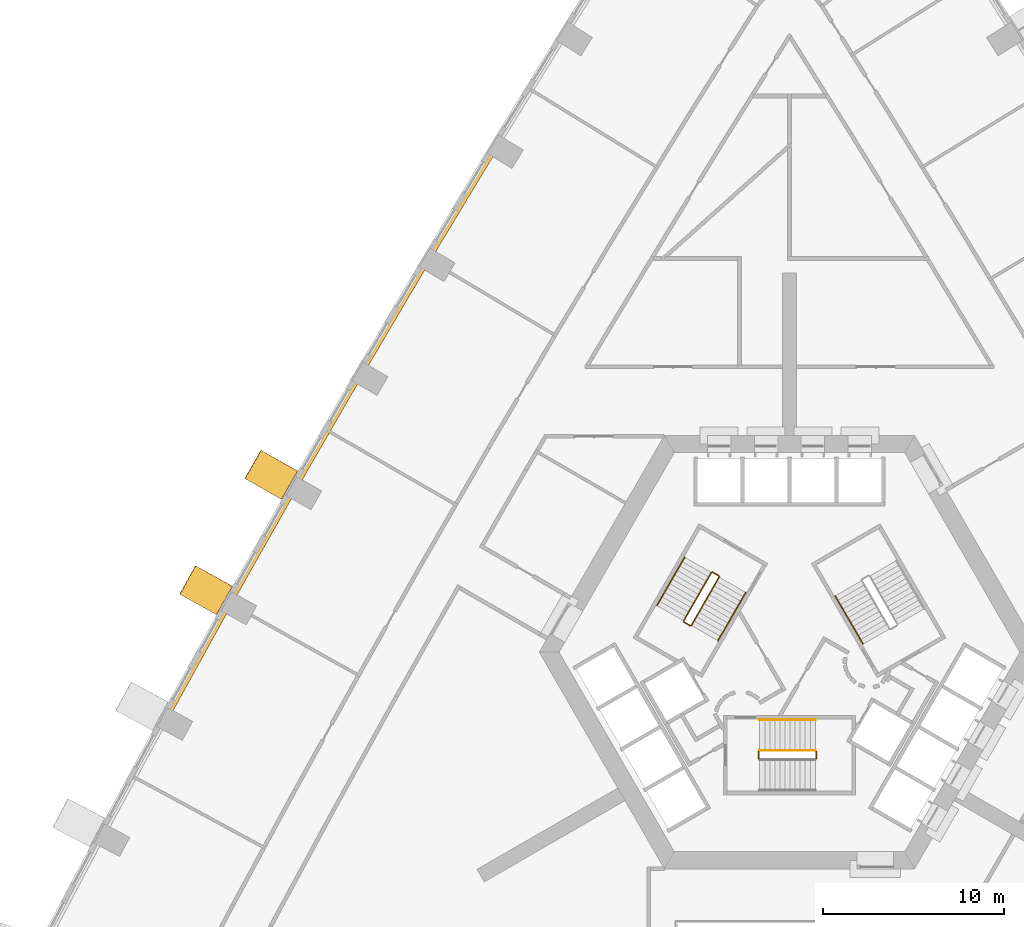
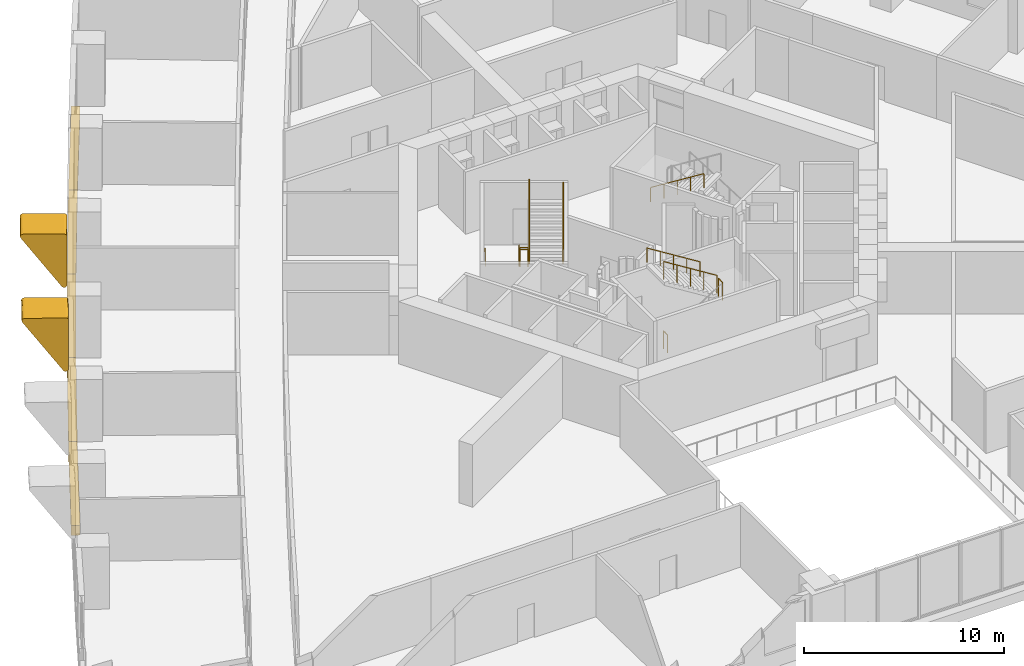
# One storey, part 15 of 17: 11 railings, 7 coverings.
"""IFC4 building model written with IfcOpenShell, lengths in metres."""

from ifc_helpers import new_model, si_unit, direction, frame, origin, origin_2d, place, context, subcontext, project, spatial, polyline, circle, outline, extrude, material, type_object, element, save


model = new_model("IFC4")

# Units and contexts
model_context = context("Model", 3, precision=1e-05, world=origin(), true_north=direction((0.0, 1.0)))
body_context = subcontext(model_context, "Body", "Model", "MODEL_VIEW")
ifc_project = project(units=[si_unit("LENGTHUNIT", "METRE"), si_unit("AREAUNIT", "SQUARE_METRE"), si_unit("VOLUMEUNIT", "CUBIC_METRE"), si_unit("PLANEANGLEUNIT", "RADIAN"), si_unit("MASSUNIT", "GRAM", prefix="KILO")], contexts=[model_context])

# Site, building, storey
site_placement = place(None, origin())
site = spatial("IfcSite", under=ifc_project, at=site_placement, CompositionType="ELEMENT")
building_placement = place(site_placement, origin())
building = spatial("IfcBuilding", under=site, at=building_placement, Name="Entoto Arch Interchange Tower", CompositionType="ELEMENT")
storey_placement = place(building_placement, frame((0.0, 0.0, 72.800048828125)))
storey = spatial("IfcBuildingStorey", under=building, at=storey_placement, Name="L15", CompositionType="ELEMENT", Elevation=72.800048828125)

# Coverings
ifc_material_1 = material(Name="Board-marked precast concrete C50/60", Category="concrete")
covering_type_1 = type_object("IfcCoveringType", Name="PRECAST FRAME COURSE", PredefinedType="CLADDING", material=ifc_material_1)
covering_1_placement = place(storey_placement, frame((-27.467041015625, 12.6640625, 4.594970703125), z_axis=(0.495514149219, 0.868594061722, 0.003175510018), x_axis=(0.59739897856, -0.338144746585, -0.727167512181)))
element("IfcCovering", 1, at=covering_1_placement, inside=storey, type_object=covering_type_1, Name="Fold rib NW06 L15-L16", PredefinedType="CLADDING", context=body_context, shape_type="SweptSolid", body=[
    extrude(outline(polyline([(0.0, 0.0), (0.04398086159423441, -3.469446951953614e-18), (0.08509143502890897, -0.011538554398013587), (0.11061477951549649, -0.026839040821121457), (0.13209335969880726, -0.04674853942819094), (0.1575389821574973, -0.08223665545745294), (0.17073411430830077, -0.12395791051630647), (0.17111908301209014, -0.16811127499941847), (0.15851544581084984, -0.21024227099173906), (0.13502761501085528, -0.24653236093162711), (-2.034512995311351, -2.2951307716978904), (-2.0703762445112734, -2.3211571559829793), (-2.1120452108374193, -2.333923895439123), (-2.1412678757239223, -2.3363993309485336), (-2.1845654163346437, -2.3285908817787675), (-2.224080239400145, -2.3084255825704885), (-2.2459704063988877, -2.2898617085995556), (-3.655945486867432, -0.7962568705409234), (-3.6809795225106905, -0.7594231298755247), (-3.694758052101495, -0.7170861134876403), (-3.6960018431107406, -0.6880272150320723), (-3.6929081216664406, -0.6578721126631657), (-3.6829645793442625, -0.6307040470060881), (-3.6687649609564614, -0.6048477020568845), (-3.648425646214397, -0.582648757795754), (-3.6250731804777727, -0.5650603831554288), (-3.5984337997695466, -0.5527381794659965), (-3.5699798137692422, -0.5448251247171274), (0.0, 0.0)])), origin(), (0.0, 0.0, -1.0), 1.800048828125),
])
covering_2_placement = place(storey_placement, frame((-31.083984375, 6.284912109375, 4.595947265625), z_axis=(0.486893143015, 0.873456495802, 0.002969381428), x_axis=(0.591955627976, -0.327471777294, -0.736444681958)))
element("IfcCovering", 2, at=covering_2_placement, inside=storey, type_object=covering_type_1, Name="Fold rib NW07 L15-L16", PredefinedType="CLADDING", context=body_context, shape_type="SweptSolid", body=[
    extrude(outline(polyline([(0.0, 0.0), (0.04342955107608479, 0.0), (0.0855020084515295, -0.013323100867107827), (0.12183014322560373, -0.03807020119693106), (0.15013238455006833, -0.07177066387620763), (0.1618802367243274, -0.09791103979873154), (0.16945408593201972, -0.12672736909454257), (0.1699548470076156, -0.17022011356213143), (0.15677696580032324, -0.21217451243335203), (0.13279828134823662, -0.24814311777824768), (-2.0639096672357997, -2.2675809218214065), (-2.100700838903606, -2.2924905345874476), (-2.142542757563619, -2.3046845967317555), (-2.1717955338532486, -2.3067621982858046), (-2.21490429810024, -2.298449795604321), (-2.2538167112540317, -2.278103521701752), (-2.2764300724901405, -2.2581749070284003), (-3.663464035480277, -0.748217543629168), (-3.687670762783676, -0.7114006244441999), (-3.7008689208271157, -0.6688812831763356), (-3.7022932143523932, -0.639182059499664), (-3.697808901687587, -0.6101409335992001), (-3.688150545004193, -0.5823994068890908), (-3.6728797050071664, -0.5575200359621608), (-3.6527050660885467, -0.535090454710595), (-3.6293690572938444, -0.5175515587079313), (-3.6028885167537075, -0.5052367459056479), (-3.5735277095218496, -0.49858343947850736), (0.0, 0.0)])), origin(), (0.0, 0.0, -1.0), 1.800048828125),
])
covering_type_2 = type_object("IfcCoveringType", Name="PRECAST LEDGE COURSE", PredefinedType="CLADDING", material=ifc_material_1)
covering_3_placement = place(storey_placement, frame((0.0, 0.0, -1.0)))
element("IfcCovering", 3, at=covering_3_placement, inside=storey, type_object=covering_type_2, Name="Precast course NW-03 L15", PredefinedType="CLADDING", context=body_context, shape_type="SweptSolid", body=[
    extrude(outline(polyline([(-19.89990234375, 24.176025390625), (-20.2890625, 24.408935546875), (-16.509033203125, 30.68798828125), (-16.118896484375, 30.449951171875), (-19.89990234375, 24.176025390625)])), origin(), (0.0, 0.0, 1.0), 0.599853515625),
])
covering_4_placement = place(storey_placement, frame((0.0, 0.0, -1.0)))
element("IfcCovering", 4, at=covering_4_placement, inside=storey, type_object=covering_type_2, Name="Precast course NW-04 L15", PredefinedType="CLADDING", context=body_context, shape_type="SweptSolid", body=[
    extrude(outline(polyline([(-23.623046875, 17.866943359375), (-24.010986328125, 18.093994140625), (-20.2890625, 24.408935546875), (-19.89990234375, 24.176025390625), (-23.623046875, 17.866943359375)])), origin(), (0.0, 0.0, 1.0), 0.599853515625),
])
covering_5_placement = place(storey_placement, frame((0.0, 0.0, -1.0)))
element("IfcCovering", 5, at=covering_5_placement, inside=storey, type_object=covering_type_2, Name="Precast course NW-05 L15", PredefinedType="CLADDING", context=body_context, shape_type="SweptSolid", body=[
    extrude(outline(polyline([(-27.284912109375, 11.52392578125), (-27.676025390625, 11.7470703125), (-24.010986328125, 18.093994140625), (-23.623046875, 17.866943359375), (-27.284912109375, 11.52392578125)])), origin(), (0.0, 0.0, 1.0), 0.599853515625),
])
covering_6_placement = place(storey_placement, frame((0.0, 0.0, -1.0)))
element("IfcCovering", 6, at=covering_6_placement, inside=storey, type_object=covering_type_2, Name="Precast course NW-06 L15", PredefinedType="CLADDING", context=body_context, shape_type="SweptSolid", body=[
    extrude(outline(polyline([(-30.887939453125, 5.14599609375), (-31.282958984375, 5.365966796875), (-27.676025390625, 11.7470703125), (-27.284912109375, 11.52392578125), (-30.887939453125, 5.14599609375)])), origin(), (0.0, 0.0, 1.0), 0.599853515625),
])
covering_7_placement = place(storey_placement, frame((0.0, 0.0, -1.0)))
element("IfcCovering", 7, at=covering_7_placement, inside=storey, type_object=covering_type_2, Name="Precast course NW-07 L15", PredefinedType="CLADDING", context=body_context, shape_type="SweptSolid", body=[
    extrude(outline(polyline([(-34.429931640625, -1.264892578125), (-34.8310546875, -1.047119140625), (-31.282958984375, 5.365966796875), (-30.887939453125, 5.14599609375), (-34.429931640625, -1.264892578125)])), origin(), (0.0, 0.0, 1.0), 0.599853515625),
])

# Railings
ifc_material_2 = material(Name="Stainless steel 1.4301", Category="steel")
railing_type_1 = type_object("IfcRailingType", Name="STAIR GUARD 1100 STEEL", PredefinedType="GUARDRAIL", material=ifc_material_2)
railing_1_placement = place(storey_placement, frame((1.47998046875, -3.39990234375, 2.099853515625)))
element("IfcRailing", 8, at=railing_1_placement, inside=storey, type_object=railing_type_1, Name="L15 ST-S stair guard 2", PredefinedType="GUARDRAIL", context=body_context, shape_type="SweptSolid", body=[
    extrude(circle(Radius=0.02392578125, at=origin_2d()), frame((0.0, 0.0, 1.076171875), z_axis=(0.0, 1.0, 0.0), x_axis=(-1.0, 0.0, 0.0)), (0.0, 0.0, 1.0), 0.39990234375),
    extrude(circle(Radius=0.02099609375, at=origin_2d()), origin(), (0.0, 0.0, 1.0), 1.052001953125),
    extrude(circle(Radius=0.02099609375, at=origin_2d()), frame((0.0, 0.39990234375, 0.0)), (0.0, 0.0, 1.0), 1.052001953125),
])
railing_2_placement = place(storey_placement, frame((1.429931640625, -2.949951171875, 2.27490234375)))
element("IfcRailing", 9, at=railing_2_placement, inside=storey, type_object=railing_type_1, Name="L15 ST-S stair guard 3", PredefinedType="GUARDRAIL", context=body_context, shape_type="SweptSolid", body=[
    extrude(circle(Radius=0.02392578125, at=origin_2d()), frame((0.0, 0.0, 1.076171875), z_axis=(-0.847979421464, 0.0, 0.530029150871), x_axis=(0.0, -1.0, 0.0)), (0.0, 0.0, 1.0), 3.632080078125),
    extrude(circle(Radius=0.02099609375, at=origin_2d()), origin(), (0.0, 0.0, 1.0), 1.052001953125),
    extrude(circle(Radius=0.02099609375, at=origin_2d()), frame((-0.77001953125, 0.0, 0.481201171875)), (0.0, 0.0, 1.0), 1.052001953125),
    extrude(circle(Radius=0.02099609375, at=origin_2d()), frame((-1.5400390625, 0.0, 0.96240234375)), (0.0, 0.0, 1.0), 1.052001953125),
    extrude(circle(Radius=0.02099609375, at=origin_2d()), frame((-2.309814453125, 0.0, 1.44384765625)), (0.0, 0.0, 1.0), 1.052001953125),
    extrude(circle(Radius=0.02099609375, at=origin_2d()), frame((-3.079833984375, 0.0, 1.925048828125)), (0.0, 0.0, 1.0), 1.052001953125),
])
railing_3_placement = place(storey_placement, frame((-1.699951171875, -3.39990234375, 0.0)))
element("IfcRailing", 10, at=railing_3_placement, inside=storey, type_object=railing_type_1, Name="L15 ST-S stair guard 4", PredefinedType="GUARDRAIL", context=body_context, shape_type="SweptSolid", body=[
    extrude(circle(Radius=0.02392578125, at=origin_2d()), frame((0.0, 0.0, 1.076171875), z_axis=(0.0, 1.0, 0.0), x_axis=(-1.0, 0.0, 0.0)), (0.0, 0.0, 1.0), 0.39990234375),
    extrude(circle(Radius=0.02099609375, at=origin_2d()), origin(), (0.0, 0.0, 1.0), 1.052001953125),
    extrude(circle(Radius=0.02099609375, at=origin_2d()), frame((0.0, 0.39990234375, 0.0)), (0.0, 0.0, 1.0), 1.052001953125),
])
railing_4_placement = place(storey_placement, frame((-4.327880859375, 6.904052734375, 0.175048828125)))
element("IfcRailing", 11, at=railing_4_placement, inside=storey, type_object=railing_type_1, Name="L15 ST-NW stair guard 1", PredefinedType="GUARDRAIL", context=body_context, shape_type="SweptSolid", body=[
    extrude(circle(Radius=0.02392578125, at=origin_2d()), frame((0.0, 0.0, 1.076171875), z_axis=(-0.424009578203, -0.734421155904, 0.529944755001), x_axis=(0.866029832698, -0.499992328818, 0.0)), (0.0, 0.0, 1.0), 3.632080078125),
    extrude(circle(Radius=0.02099609375, at=origin_2d()), origin(), (0.0, 0.0, 1.0), 1.052001953125),
    extrude(circle(Radius=0.02099609375, at=origin_2d()), frame((-0.385009765625, -0.6669921875, 0.481201171875)), (0.0, 0.0, 1.0), 1.052001953125),
    extrude(circle(Radius=0.02099609375, at=origin_2d()), frame((-0.77001953125, -1.333740234375, 0.96240234375)), (0.0, 0.0, 1.0), 1.052001953125),
    extrude(circle(Radius=0.02099609375, at=origin_2d()), frame((-1.155029296875, -2.00048828125, 1.443603515625)), (0.0, 0.0, 1.0), 1.052001953125),
    extrude(circle(Radius=0.02099609375, at=origin_2d()), frame((-1.5400390625, -2.66748046875, 1.9248046875)), (0.0, 0.0, 1.0), 1.052001953125),
])
railing_5_placement = place(storey_placement, frame((-5.849609375, 4.168212890625, 2.099853515625)))
element("IfcRailing", 12, at=railing_5_placement, inside=storey, type_object=railing_type_1, Name="L15 ST-NW stair guard 2", PredefinedType="GUARDRAIL", context=body_context, shape_type="SweptSolid", body=[
    extrude(circle(Radius=0.02392578125, at=origin_2d()), frame((0.0, 0.0, 1.076171875), z_axis=(0.866094119867, -0.499880961361, 0.0), x_axis=(0.499880961361, 0.866094119867, 0.0)), (0.0, 0.0, 1.0), 0.39990234375),
    extrude(circle(Radius=0.02099609375, at=origin_2d()), origin(), (0.0, 0.0, 1.0), 1.052001953125),
    extrude(circle(Radius=0.02099609375, at=origin_2d()), frame((0.346435546875, -0.199951171875, 0.0)), (0.0, 0.0, 1.0), 1.052001953125),
])
railing_6_placement = place(storey_placement, frame((-5.434814453125, 3.986572265625, 2.27490234375)))
element("IfcRailing", 13, at=railing_6_placement, inside=storey, type_object=railing_type_1, Name="L15 ST-NW stair guard 3", PredefinedType="GUARDRAIL", context=body_context, shape_type="SweptSolid", body=[
    extrude(circle(Radius=0.02392578125, at=origin_2d()), frame((0.0, 0.0, 1.076171875), z_axis=(0.423994474112, 0.734394994316, 0.52999309264), x_axis=(-0.866029832698, 0.499992328818, 0.0)), (0.0, 0.0, 1.0), 3.63232421875),
    extrude(circle(Radius=0.02099609375, at=origin_2d()), origin(), (0.0, 0.0, 1.0), 1.052001953125),
    extrude(circle(Radius=0.02099609375, at=origin_2d()), frame((0.385009765625, 0.6669921875, 0.481201171875)), (0.0, 0.0, 1.0), 1.052001953125),
    extrude(circle(Radius=0.02099609375, at=origin_2d()), frame((0.77001953125, 1.333740234375, 0.96240234375)), (0.0, 0.0, 1.0), 1.052001953125),
    extrude(circle(Radius=0.02099609375, at=origin_2d()), frame((1.155029296875, 2.00048828125, 1.44384765625)), (0.0, 0.0, 1.0), 1.052001953125),
    extrude(circle(Radius=0.02099609375, at=origin_2d()), frame((1.5400390625, 2.66748046875, 1.925048828125)), (0.0, 0.0, 1.0), 1.052001953125),
])
railing_7_placement = place(storey_placement, frame((-4.259521484375, 6.92236328125, 0.0)))
element("IfcRailing", 14, at=railing_7_placement, inside=storey, type_object=railing_type_1, Name="L15 ST-NW stair guard 4", PredefinedType="GUARDRAIL", context=body_context, shape_type="SweptSolid", body=[
    extrude(circle(Radius=0.02392578125, at=origin_2d()), frame((0.0, 0.0, 1.076171875), z_axis=(0.865829829939, -0.500338590944, 0.0), x_axis=(0.500338590944, 0.865829829939, 0.0)), (0.0, 0.0, 1.0), 0.400146484375),
    extrude(circle(Radius=0.02099609375, at=origin_2d()), origin(), (0.0, 0.0, 1.0), 1.052001953125),
    extrude(circle(Radius=0.02099609375, at=origin_2d()), frame((0.346435546875, -0.2001953125, 0.0)), (0.0, 0.0, 1.0), 1.052001953125),
])
railing_type_2 = type_object("IfcRailingType", Name="STAIR HANDRAIL 900 STEEL", PredefinedType="HANDRAIL", material=ifc_material_2)
railing_8_placement = place(storey_placement, frame((1.429931640625, -1.25, 2.27490234375)))
element("IfcRailing", 15, at=railing_8_placement, inside=storey, type_object=railing_type_2, Name="L15 ST-S stair handrail 2", PredefinedType="HANDRAIL", context=body_context, shape_type="SweptSolid", body=[
    extrude(circle(Radius=0.02392578125, at=origin_2d()), frame((0.0, 0.0, 0.8759765625), z_axis=(-0.847979421464, 0.0, 0.530029150871), x_axis=(0.0, -1.0, 0.0)), (0.0, 0.0, 1.0), 3.632080078125),
    extrude(circle(Radius=0.02099609375, at=origin_2d()), origin(), (0.0, 0.0, 1.0), 0.851806640625),
    extrude(circle(Radius=0.02099609375, at=origin_2d()), frame((-0.77001953125, 0.0, 0.481201171875)), (0.0, 0.0, 1.0), 0.851806640625),
    extrude(circle(Radius=0.02099609375, at=origin_2d()), frame((-1.5400390625, 0.0, 0.96240234375)), (0.0, 0.0, 1.0), 0.851806640625),
    extrude(circle(Radius=0.02099609375, at=origin_2d()), frame((-2.309814453125, 0.0, 1.44384765625)), (0.0, 0.0, 1.0), 0.851806640625),
    extrude(circle(Radius=0.02099609375, at=origin_2d()), frame((-3.079833984375, 0.0, 1.925048828125)), (0.0, 0.0, 1.0), 0.851806640625),
])
railing_9_placement = place(storey_placement, frame((2.53271484375, 5.613525390625, 2.27490234375)))
element("IfcRailing", 16, at=railing_9_placement, inside=storey, type_object=railing_type_2, Name="L15 ST-NE stair handrail 2", PredefinedType="HANDRAIL", context=body_context, shape_type="SweptSolid", body=[
    extrude(circle(Radius=0.02392578125, at=origin_2d()), frame((0.0, 0.0, 0.8759765625), z_axis=(0.423939339791, -0.734415923031, 0.53000819633), x_axis=(0.866064153644, 0.499932877268, 0.0)), (0.0, 0.0, 1.0), 3.632080078125),
    extrude(circle(Radius=0.02099609375, at=origin_2d()), origin(), (0.0, 0.0, 1.0), 0.851806640625),
    extrude(circle(Radius=0.02099609375, at=origin_2d()), frame((0.385009765625, -0.6669921875, 0.481201171875)), (0.0, 0.0, 1.0), 0.851806640625),
    extrude(circle(Radius=0.02099609375, at=origin_2d()), frame((0.77001953125, -1.333740234375, 0.96240234375)), (0.0, 0.0, 1.0), 0.851806640625),
    extrude(circle(Radius=0.02099609375, at=origin_2d()), frame((1.15478515625, -2.00048828125, 1.44384765625)), (0.0, 0.0, 1.0), 0.851806640625),
    extrude(circle(Radius=0.02099609375, at=origin_2d()), frame((1.539794921875, -2.66748046875, 1.925048828125)), (0.0, 0.0, 1.0), 0.851806640625),
])
railing_10_placement = place(storey_placement, frame((-5.800048828125, 7.75390625, 0.175048828125)))
element("IfcRailing", 17, at=railing_10_placement, inside=storey, type_object=railing_type_2, Name="L15 ST-NW stair handrail 1", PredefinedType="HANDRAIL", context=body_context, shape_type="SweptSolid", body=[
    extrude(circle(Radius=0.02392578125, at=origin_2d()), frame((0.0, 0.0, 0.8759765625), z_axis=(-0.42403051051, -0.734390191396, 0.529970917068), x_axis=(0.866010015463, -0.500026652407, 0.0)), (0.0, 0.0, 1.0), 3.6318359375),
    extrude(circle(Radius=0.02099609375, at=origin_2d()), origin(), (0.0, 0.0, 1.0), 0.851806640625),
    extrude(circle(Radius=0.02099609375, at=origin_2d()), frame((-0.385009765625, -0.666748046875, 0.481201171875)), (0.0, 0.0, 1.0), 0.851806640625),
    extrude(circle(Radius=0.02099609375, at=origin_2d()), frame((-0.77001953125, -1.33349609375, 0.96240234375)), (0.0, 0.0, 1.0), 0.851806640625),
    extrude(circle(Radius=0.02099609375, at=origin_2d()), frame((-1.155029296875, -2.00048828125, 1.443603515625)), (0.0, 0.0, 1.0), 0.851806640625),
    extrude(circle(Radius=0.02099609375, at=origin_2d()), frame((-1.5400390625, -2.667236328125, 1.9248046875)), (0.0, 0.0, 1.0), 0.851806640625),
])
railing_11_placement = place(storey_placement, frame((-3.962646484375, 3.136474609375, 2.27490234375)))
element("IfcRailing", 18, at=railing_11_placement, inside=storey, type_object=railing_type_2, Name="L15 ST-NW stair handrail 2", PredefinedType="HANDRAIL", context=body_context, shape_type="SweptSolid", body=[
    extrude(circle(Radius=0.02392578125, at=origin_2d()), frame((0.0, 0.0, 0.8759765625), z_axis=(0.423994474112, 0.734394994316, 0.52999309264), x_axis=(-0.866029832698, 0.499992328818, 0.0)), (0.0, 0.0, 1.0), 3.63232421875),
    extrude(circle(Radius=0.02099609375, at=origin_2d()), origin(), (0.0, 0.0, 1.0), 0.851806640625),
    extrude(circle(Radius=0.02099609375, at=origin_2d()), frame((0.385009765625, 0.6669921875, 0.481201171875)), (0.0, 0.0, 1.0), 0.851806640625),
    extrude(circle(Radius=0.02099609375, at=origin_2d()), frame((0.77001953125, 1.333740234375, 0.96240234375)), (0.0, 0.0, 1.0), 0.851806640625),
    extrude(circle(Radius=0.02099609375, at=origin_2d()), frame((1.155029296875, 2.00048828125, 1.44384765625)), (0.0, 0.0, 1.0), 0.851806640625),
    extrude(circle(Radius=0.02099609375, at=origin_2d()), frame((1.5400390625, 2.66748046875, 1.925048828125)), (0.0, 0.0, 1.0), 0.851806640625),
])

save(model, "model.ifc")
